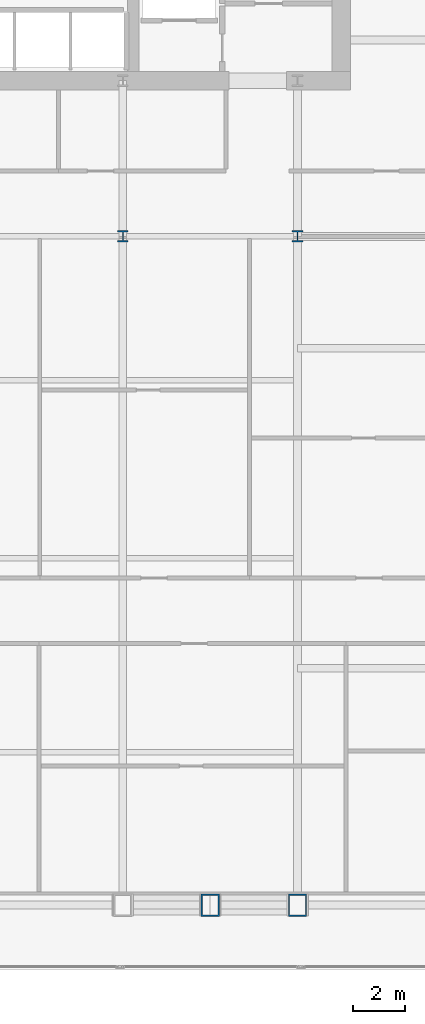
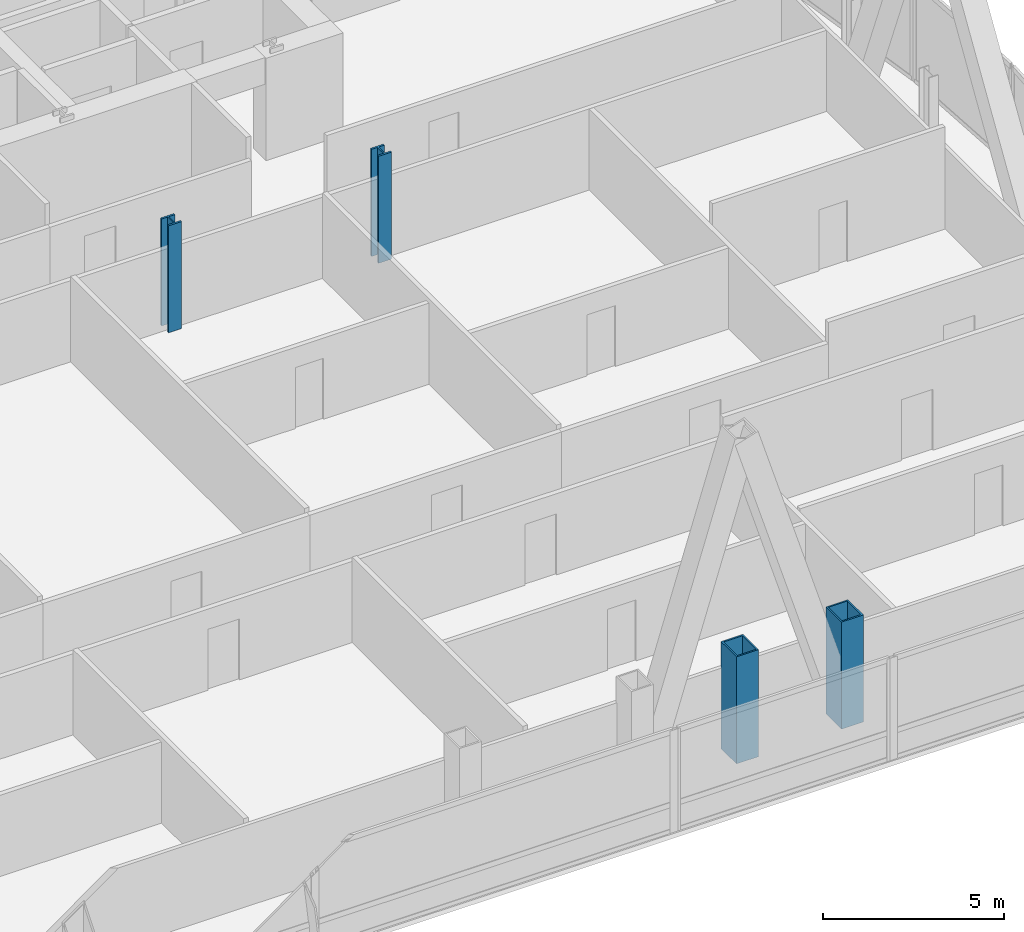
# One storey, part 2 of 33: 4 columns.
"""IFC4 building model written with IfcOpenShell, lengths in metres."""

import ifcopenshell
import ifcopenshell.guid

model = None  # the IFC model being written
_history = None  # IfcOwnerHistory: only IFC2X3 demands one
_inside = {}  # id of a spatial element -> (the spatial element, [elements in it])
_under = {}  # id of a project, library or spatial element -> (it, [spatial elements below it])
_declared = {}  # id of a project -> (the project, [libraries it declares])
_typed = {}  # id of a type object -> (the type object, [elements of that type])
_made_of = {}  # id of a material, layer set ... -> (it, [elements and type objects made of it])


def new_model(schema):
    """Start an empty IFC model of exactly this schema.

    Asked for "IFC4X3", IfcOpenShell would pick the latest addendum, in which some entities
    have other attributes; the version numbers below select the first issue.
    IFC2X3 requires an IfcOwnerHistory on every rooted entity: one is made here for all.
    """
    global model, _history
    if schema == "IFC4X3":
        model = ifcopenshell.file(schema_version=(4, 3, 0, 0))
    else:
        model = ifcopenshell.file(schema=schema)
    _inside.clear()
    _under.clear()
    _declared.clear()
    _typed.clear()
    _made_of.clear()
    _history = None
    if model.schema == "IFC2X3":
        org = make("IfcOrganization", Name="unknown")
        user = make(
            "IfcPersonAndOrganization",
            ThePerson=make("IfcPerson", FamilyName="unknown"),
            TheOrganization=org,
        )
        app = make(
            "IfcApplication",
            ApplicationDeveloper=org,
            Version="unknown",
            ApplicationFullName="unknown",
            ApplicationIdentifier="unknown",
        )
        _history = make(
            "IfcOwnerHistory",
            OwningUser=user,
            OwningApplication=app,
            ChangeAction="ADDED",
            CreationDate=0,
        )
    return model


def make(cls, **values):
    """One entity of the class cls with the attributes given. An attribute that is None is left unset."""
    return model.create_entity(
        cls, **{name: value for name, value in values.items() if value is not None}
    )


def rooted(cls, **values):
    """An entity with a GlobalId (a new one), such as an element, a storey or a relation."""
    return make(cls, GlobalId=ifcopenshell.guid.new(), OwnerHistory=_history, **values)


def si_unit(unit_type, name, prefix=None):
    """IfcSIUnit, for example si_unit("LENGTHUNIT", "METRE", prefix="MILLI")."""
    return make("IfcSIUnit", UnitType=unit_type, Prefix=prefix, Name=name)


def assignment(units):
    """IfcUnitAssignment: the units of a project."""
    return None if units is None else make("IfcUnitAssignment", Units=units)


def point(xyz):
    """IfcCartesianPoint."""
    return None if xyz is None else make("IfcCartesianPoint", Coordinates=xyz)


def direction(xyz):
    """IfcDirection."""
    return None if xyz is None else make("IfcDirection", DirectionRatios=xyz)


def frame(location, z_axis=None, x_axis=None):
    """IfcAxis2Placement3D, a coordinate frame: its origin and axes. An axis left out is left unset."""
    return make(
        "IfcAxis2Placement3D",
        Location=point(location),
        Axis=direction(z_axis),
        RefDirection=direction(x_axis),
    )


def frame_2d(location, x_axis=None):
    """IfcAxis2Placement2D, a coordinate frame in the plane: its origin and x axis."""
    return make(
        "IfcAxis2Placement2D", Location=point(location), RefDirection=direction(x_axis)
    )


def origin():
    """The frame at (0, 0, 0) with its axes left unset."""
    return frame((0.0, 0.0, 0.0))


def origin_2d():
    """The frame at (0, 0) in the plane with its x axis left unset."""
    return frame_2d((0.0, 0.0))


def place(relative_to, where):
    """IfcLocalPlacement: puts the frame where relative to a parent placement (None: the world)."""
    return make(
        "IfcLocalPlacement", PlacementRelTo=relative_to, RelativePlacement=where
    )


def context(
    kind, dimensions, precision=None, world=None, true_north=None, identifier=None
):
    """IfcGeometricRepresentationContext, for example the 3D "Model" context."""
    return make(
        "IfcGeometricRepresentationContext",
        ContextIdentifier=identifier,
        ContextType=kind,
        CoordinateSpaceDimension=dimensions,
        Precision=precision,
        WorldCoordinateSystem=world,
        TrueNorth=true_north,
    )


def subcontext(parent, identifier, kind, view, scale=None):
    """IfcGeometricRepresentationSubContext, for example "Body" below "Model"."""
    return make(
        "IfcGeometricRepresentationSubContext",
        ContextIdentifier=identifier,
        ContextType=kind,
        ParentContext=parent,
        TargetScale=scale,
        TargetView=view,
    )


def project(units=None, contexts=None):
    """IfcProject with its units and contexts."""
    return rooted(
        "IfcProject",
        Name="project",
        RepresentationContexts=contexts,
        UnitsInContext=assignment(units),
    )


def spatial(cls, under=None, at=None, **own):
    """A site, building, storey or space (cls), placed at a placement, below another one or the project."""
    s = rooted(cls, ObjectPlacement=at, **own)
    if under is not None:
        _under.setdefault(under.id(), (under, []))[1].append(s)
    return s


def profile(cls, at=None, kind="AREA", **sizes):
    """A parametric profile (cls). Its sizes go by their IFC names, for example OverallWidth=200.0."""
    return make(cls, ProfileType=kind, Position=at, **sizes)


def hollow_rectangle(**sizes):
    """IfcRectangleHollowProfileDef."""
    return profile("IfcRectangleHollowProfileDef", **sizes)


def i_section(**sizes):
    """IfcIShapeProfileDef."""
    return profile("IfcIShapeProfileDef", **sizes)


def extrude(swept, where, along, depth):
    """IfcExtrudedAreaSolid: the profile swept, set in the frame where, extruded along a direction by depth."""
    return make(
        "IfcExtrudedAreaSolid",
        SweptArea=swept,
        Position=where,
        ExtrudedDirection=direction(along),
        Depth=depth,
    )


def shape(context_of_items, identifier, shape_type, items):
    """IfcShapeRepresentation: the items that make up one representation, for example the "Body"."""
    return make(
        "IfcShapeRepresentation",
        ContextOfItems=context_of_items,
        RepresentationIdentifier=identifier,
        RepresentationType=shape_type,
        Items=items,
    )


def material(Name=None, Category=None):
    """IfcMaterial."""
    return make("IfcMaterial", Name=Name, Category=Category)


def material_profile(
    of_material, cross_section, Name=None, Category=None, Priority=None
):
    """IfcMaterialProfile: a cross section and its material."""
    return make(
        "IfcMaterialProfile",
        Name=Name,
        Material=of_material,
        Profile=cross_section,
        Priority=Priority,
        Category=Category,
    )


def profile_set(profiles, Name=None, composite=None):
    """IfcMaterialProfileSet."""
    return make(
        "IfcMaterialProfileSet",
        Name=Name,
        MaterialProfiles=profiles,
        CompositeProfile=composite,
    )


def made_of(thing, what):
    """Note that an element or type object is made of a material, layer set ...; save() writes the relation."""
    if what is not None:
        _made_of.setdefault(what.id(), (what, []))[1].append(thing)
    return thing


def type_object(cls, material=None, **own):
    """A type object (cls), such as IfcWallType, which elements share."""
    return made_of(rooted(cls, **own), material)


def element(
    cls,
    number,
    at=None,
    inside=None,
    cuts=None,
    type_object=None,
    material=None,
    context=None,
    identifier="Body",
    shape_type=None,
    held_by="IfcProductDefinitionShape",
    body=None,
    shapes=None,
    **own,
):
    """One element of the class cls, such as IfcWall. Its Tag is "e" and its number.

    at: its placement. inside: the storey or other place that contains it. cuts: it is an
    opening in that element (IfcRelVoidsElement). A single representation is given by context,
    identifier, shape_type and body (its items); several are given by shapes. held_by: the class
    of the entity that holds the representations. save() writes the other relations.
    """
    e = rooted(cls, Tag="e%d" % number, ObjectPlacement=at, **own)
    if body is not None:
        shapes = [shape(context, identifier, shape_type, body)]
    if shapes is not None:
        e.Representation = make(held_by, Representations=shapes)
    if inside is not None:
        _inside.setdefault(inside.id(), (inside, []))[1].append(e)
    if cuts is not None:
        rooted(
            "IfcRelVoidsElement", RelatingBuildingElement=cuts, RelatedOpeningElement=e
        )
    if type_object is not None:
        _typed.setdefault(type_object.id(), (type_object, []))[1].append(e)
    return made_of(e, material)


def aggregate(whole, parts):
    """IfcRelAggregates: a whole, such as a stair, and the parts it consists of."""
    return rooted("IfcRelAggregates", RelatingObject=whole, RelatedObjects=parts)


def save(model, path):
    """Write the relations noted so far, then the file.

    IfcRelAggregates (storeys below a building ...), IfcRelContainedInSpatialStructure (elements
    in a storey), IfcRelDefinesByType, IfcRelAssociatesMaterial and IfcRelDeclares: one each for
    every whole, place, type object, material and project.
    """
    for whole, parts in _under.values():
        aggregate(whole, parts)
    for where, things in _inside.values():
        rooted(
            "IfcRelContainedInSpatialStructure",
            RelatedElements=things,
            RelatingStructure=where,
        )
    for kind, things in _typed.values():
        rooted("IfcRelDefinesByType", RelatedObjects=things, RelatingType=kind)
    for what, things in _made_of.values():
        rooted("IfcRelAssociatesMaterial", RelatedObjects=things, RelatingMaterial=what)
    for by, libraries in _declared.values():
        rooted("IfcRelDeclares", RelatingContext=by, RelatedDefinitions=libraries)
    model.write(path)


model = new_model("IFC4")

# Units and contexts
model_context = context("Model", 3, precision=1e-05, world=origin(), true_north=direction((0.0, 1.0)))
body_context = subcontext(model_context, "Body", "Model", "MODEL_VIEW")
ifc_project = project(units=[si_unit("LENGTHUNIT", "METRE"), si_unit("AREAUNIT", "SQUARE_METRE"), si_unit("VOLUMEUNIT", "CUBIC_METRE"), si_unit("PLANEANGLEUNIT", "RADIAN"), si_unit("MASSUNIT", "GRAM", prefix="KILO")], contexts=[model_context])

# Site, building, storey
site_placement = place(None, origin())
site = spatial("IfcSite", under=ifc_project, at=site_placement, CompositionType="ELEMENT")
building_placement = place(site_placement, origin())
building = spatial("IfcBuilding", under=site, at=building_placement, Name="Khoronbel Lancet Exchange", CompositionType="ELEMENT")
storey_placement = place(building_placement, frame((0.0, 0.0, 118.199951171875)))
storey = spatial("IfcBuildingStorey", under=building, at=storey_placement, Name="L28", CompositionType="ELEMENT", Elevation=118.199951171875)

# Columns
ifc_material = material(Name="Steel S460", Category="steel")
ifc_material_profile_1 = material_profile(ifc_material, hollow_rectangle(XDim=0.699951171875, YDim=0.85009765625, WallThickness=0.050048828125, at=origin_2d()), Name="BOX 850x700x50")
ifc_profile_set_1 = profile_set([ifc_material_profile_1], Name="Steel S460")
column_type_1 = type_object("IfcColumnType", Name="COL-EC2", PredefinedType="COLUMN", material=ifc_profile_set_1)
for number, where, z_axis, x_axis, name in (
    (1, (51.33740234375, 10.14990234375, 0.0), (0.0, 0.0, 1.0), (1.0, 0.0, 0.0), "Structural column SC-EM L28"),
    (2, (54.675048828125, 10.14990234375, 0.0), (0.0, 0.0, 1.0), (1.0, 0.0, 0.0), "Structural column SC-E2 L28"),
):
    element("IfcColumn", number, at=place(storey_placement, frame(where, z_axis=z_axis, x_axis=x_axis)), inside=storey, type_object=column_type_1, Name=name, PredefinedType="COLUMN", context=body_context, shape_type="SweptSolid", body=[
        extrude(hollow_rectangle(XDim=0.699951171875, YDim=0.85009765625, WallThickness=0.050048828125, at=origin_2d()), origin(), (0.0, 0.0, 1.0), 3.60009765625),
    ])
ifc_material_profile_2 = material_profile(ifc_material, i_section(OverallWidth=0.416015625, OverallDepth=0.446044921875, WebThickness=0.0390625, FlangeThickness=0.062744140625, at=origin_2d()), Name="HD 400x509")
ifc_profile_set_2 = profile_set([ifc_material_profile_2], Name="Steel S460")
column_type_2 = type_object("IfcColumnType", Name="COL-IC2", PredefinedType="COLUMN", material=ifc_profile_set_2)
for number, where, z_axis, x_axis, name in (
    (3, (48.0, 35.699951171875, 0.0), (0.0, 0.0, 1.0), (1.0, 0.0, 0.0), "Spine gravity column TC3 L28"),
    (4, (54.675048828125, 35.699951171875, 0.0), (0.0, 0.0, 1.0), (1.0, 0.0, 0.0), "Spine gravity column TC4 L28"),
):
    element("IfcColumn", number, at=place(storey_placement, frame(where, z_axis=z_axis, x_axis=x_axis)), inside=storey, type_object=column_type_2, Name=name, PredefinedType="COLUMN", context=body_context, shape_type="SweptSolid", body=[
        extrude(i_section(OverallWidth=0.416015625, OverallDepth=0.446044921875, WebThickness=0.0390625, FlangeThickness=0.062744140625, at=origin_2d()), origin(), (0.0, 0.0, 1.0), 3.60009765625),
    ])

save(model, "model.ifc")
